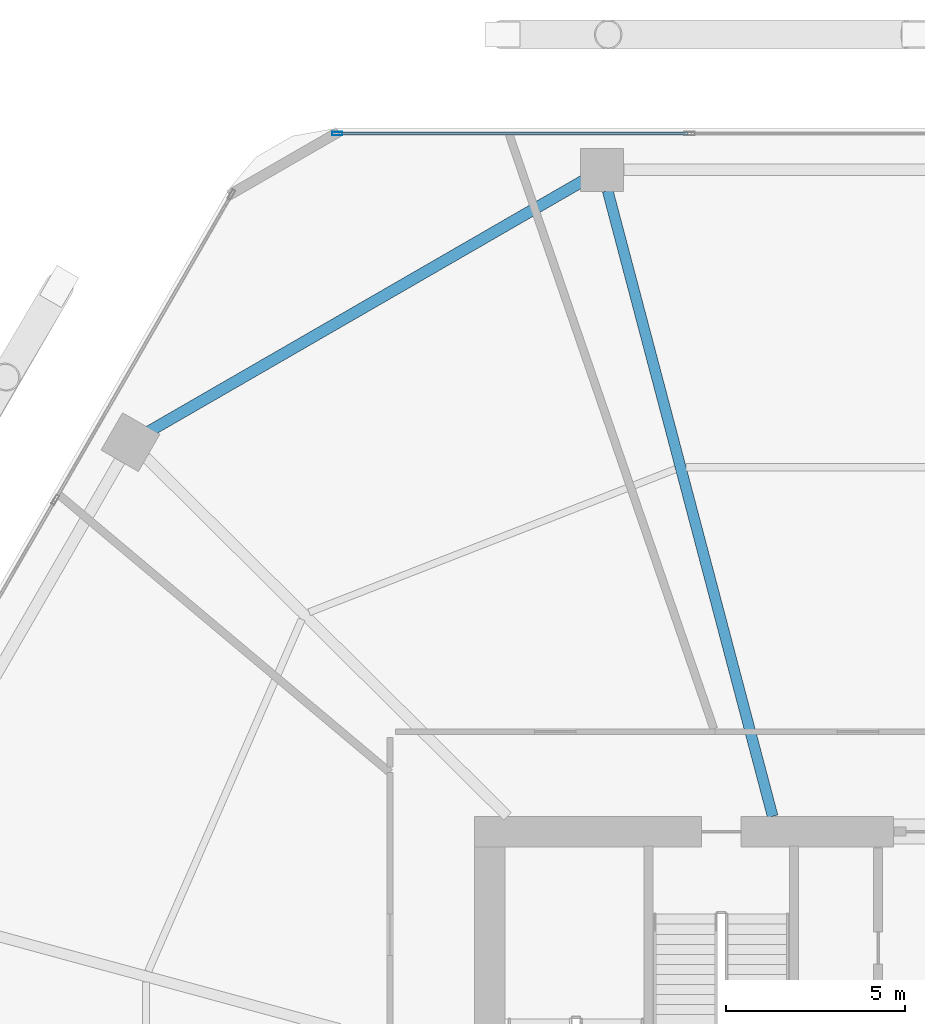
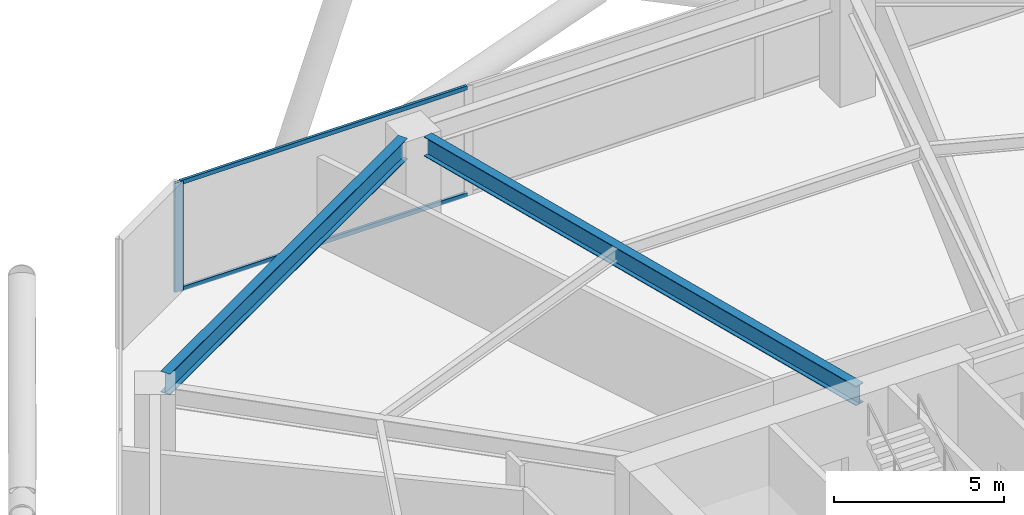
# One storey, part 17 of 29: 3 members, 2 beams, 1 element without a shape of its own.
"""IFC4 building model written with IfcOpenShell, lengths in metres."""

from ifc_helpers import new_model, si_unit, direction, frame, origin, origin_2d, place, context, subcontext, project, spatial, hollow_rectangle, i_section, extrude, material, material_profile, profile_set, type_object, element, aggregate, save


model = new_model("IFC4")

# Units and contexts
model_context = context("Model", 3, precision=1e-05, world=origin(), true_north=direction((0.0, 1.0)))
body_context = subcontext(model_context, "Body", "Model", "MODEL_VIEW")
ifc_project = project(units=[si_unit("LENGTHUNIT", "METRE"), si_unit("AREAUNIT", "SQUARE_METRE"), si_unit("VOLUMEUNIT", "CUBIC_METRE"), si_unit("PLANEANGLEUNIT", "RADIAN"), si_unit("MASSUNIT", "GRAM", prefix="KILO")], contexts=[model_context])

# Site, building, storey
site_placement = place(None, origin())
site = spatial("IfcSite", under=ifc_project, at=site_placement, CompositionType="ELEMENT")
building_placement = place(site_placement, origin())
building = spatial("IfcBuilding", under=site, at=building_placement, Name="Zuhravey Tower", CompositionType="ELEMENT")
storey_placement = place(building_placement, frame((0.0, 0.0, 41.39990234375)))
storey = spatial("IfcBuildingStorey", under=building, at=storey_placement, Name="L10", CompositionType="ELEMENT", Elevation=41.39990234375)

# Curtain wall, members
ifc_material_1 = material(Name="Thermally broken anodised aluminium", Category="aluminium")
curtain_wall_type = type_object("IfcCurtainWallType", Name="School Low-E Unitised Curtain Wall CW1", PredefinedType="NOTDEFINED", material=ifc_material_1)
curtain_wall_placement = place(storey_placement, origin())
curtain_wall = element("IfcCurtainWall", 1, at=curtain_wall_placement, inside=storey, type_object=curtain_wall_type, Name="L10 CW1 CW-L10-F2-1", PredefinedType="NOTDEFINED")
ifc_material_2 = material(Name="Anodised aluminium", Category="aluminium")
ifc_material_profile_1 = material_profile(ifc_material_2, hollow_rectangle(XDim=0.090087890625, YDim=0.284912109375, WallThickness=0.0048828125, at=origin_2d()), Name="ALU-RHS-90x285x5")
ifc_profile_set_1 = profile_set([ifc_material_profile_1], Name="Anodised aluminium")
member_type_1 = type_object("IfcMemberType", Name="Curtain-Wall Mullion 90x180", PredefinedType="MULLION", material=ifc_profile_set_1)
member_1_placement = place(storey_placement, frame((21.24560546875, 60.95849609375, 0.0), z_axis=(0.0, 0.0, 1.0), x_axis=(0.0, 1.0, 0.0)))
member_1 = element("IfcMember", 2, at=member_1_placement, type_object=member_type_1, Name="CW1 mullion 1", PredefinedType="MULLION", context=body_context, shape_type="SweptSolid", body=[
    extrude(hollow_rectangle(XDim=0.090087890625, YDim=0.284912109375, WallThickness=0.0048828125, at=origin_2d()), origin(), (0.0, 0.0, 1.0), 3.920166015625),
])
ifc_material_profile_2 = material_profile(ifc_material_2, hollow_rectangle(XDim=0.090087890625, YDim=0.14990234375, WallThickness=0.0048828125, at=origin_2d()), Name="ALU-RHS-90x150x5")
ifc_profile_set_2 = profile_set([ifc_material_profile_2], Name="Anodised aluminium")
member_type_2 = type_object("IfcMemberType", Name="Curtain-Wall Transom 90x150", PredefinedType="USERDEFINED", material=ifc_profile_set_2)
member_2_placement = place(storey_placement, frame((21.29052734375, 60.95849609375, 0.045166015625), z_axis=(1.0, 0.0, 0.0), x_axis=(0.0, 1.0, 0.0)))
member_2 = element("IfcMember", 3, at=member_2_placement, type_object=member_type_2, Name="CW1 transom 1.1", ObjectType="TRANSOM", PredefinedType="USERDEFINED", context=body_context, shape_type="SweptSolid", body=[
    extrude(hollow_rectangle(XDim=0.090087890625, YDim=0.14990234375, WallThickness=0.0048828125, at=origin_2d()), origin(), (0.0, 0.0, 1.0), 9.731201171875),
])
member_3_placement = place(storey_placement, frame((21.29052734375, 60.95849609375, 3.875), z_axis=(1.0, 0.0, 0.0), x_axis=(0.0, 1.0, 0.0)))
member_3 = element("IfcMember", 4, at=member_3_placement, type_object=member_type_2, Name="CW1 transom 1.2", ObjectType="TRANSOM", PredefinedType="USERDEFINED", context=body_context, shape_type="SweptSolid", body=[
    extrude(hollow_rectangle(XDim=0.090087890625, YDim=0.14990234375, WallThickness=0.0048828125, at=origin_2d()), origin(), (0.0, 0.0, 1.0), 9.731201171875),
])
aggregate(curtain_wall, [member_1, member_2, member_3])

# Beams
ifc_material_3 = material(Name="Steel SM355", Category="steel")
ifc_material_profile_3 = material_profile(ifc_material_3, i_section(OverallWidth=0.320068359375, OverallDepth=0.75, WebThickness=0.013916015625, FlangeThickness=0.02490234375, at=origin_2d()), Name="H-750x320x14x25")
ifc_profile_set_3 = profile_set([ifc_material_profile_3], Name="Steel SM355")
beam_type_1 = type_object("IfcBeamType", Name="Perimeter Ring Beam H750x320", PredefinedType="BEAM", material=ifc_profile_set_3)
beam_1_placement = place(storey_placement, frame((28.10791015625, 59.64697265625, 3.545166015625), z_axis=(-0.866029969761, -0.499992091414, 0.0), x_axis=(0.499992091414, -0.866029969761, 0.0)))
element("IfcBeam", 5, at=beam_1_placement, inside=storey, type_object=beam_type_1, Name="L10 PB1 BM-L10-PB-04", PredefinedType="BEAM", context=body_context, shape_type="SweptSolid", body=[
    extrude(i_section(OverallWidth=0.320068359375, OverallDepth=0.75, WebThickness=0.013916015625, FlangeThickness=0.02490234375, at=origin_2d()), origin(), (0.0, 0.0, 1.0), 13.977294921875),
])
ifc_material_profile_4 = material_profile(ifc_material_3, i_section(OverallWidth=0.300048828125, OverallDepth=0.699951171875, WebThickness=0.012939453125, FlangeThickness=0.02392578125, at=origin_2d()), Name="H-700x300x13x24")
ifc_profile_set_4 = profile_set([ifc_material_profile_4], Name="Steel SM355")
beam_type_2 = type_object("IfcBeamType", Name="Radial Primary Girder H700x300", PredefinedType="BEAM", material=ifc_profile_set_4)
beam_2_placement = place(storey_placement, frame((33.382080078125, 41.927978515625, 3.570068359375), z_axis=(-0.254989720435, 0.966943763862, 0.0), x_axis=(-0.966943763862, -0.254989720435, 0.0)))
element("IfcBeam", 6, at=beam_2_placement, inside=storey, type_object=beam_type_2, Name="L10 RG1 BM-L10-RAD-04", PredefinedType="BEAM", context=body_context, shape_type="SweptSolid", body=[
    extrude(i_section(OverallWidth=0.300048828125, OverallDepth=0.699951171875, WebThickness=0.012939453125, FlangeThickness=0.02392578125, at=origin_2d()), origin(), (0.0, 0.0, 1.0), 18.03369140625),
])

save(model, "model.ifc")
